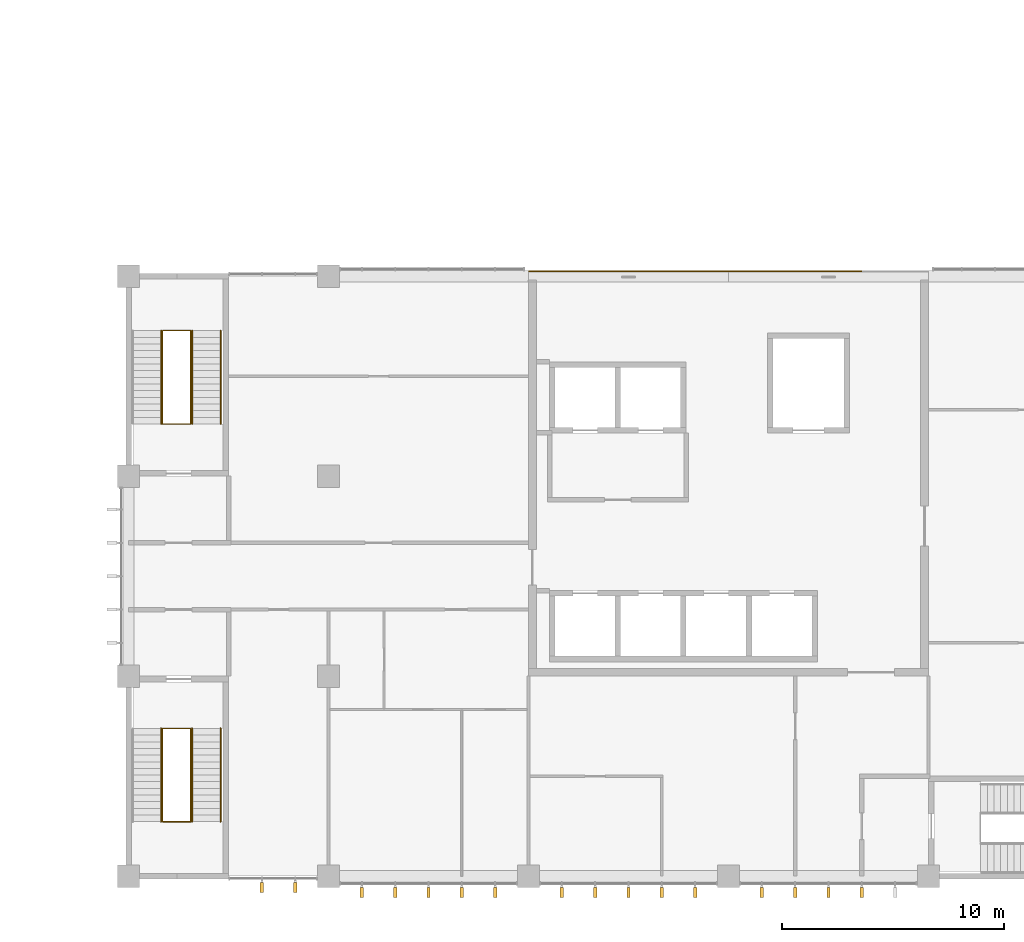
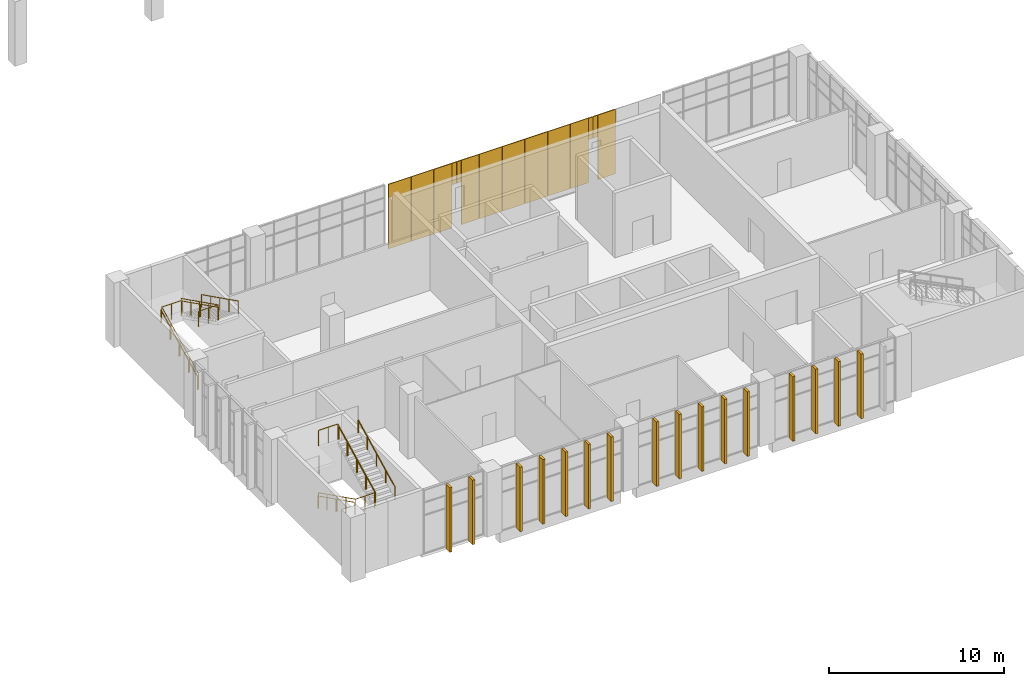
# One storey, part 84 of 88: 16 shading devices, 14 coverings, 8 railings.
"""IFC4 building model written with IfcOpenShell, lengths in metres."""

from ifc_helpers import new_model, si_unit, direction, frame, origin, origin_2d, place, context, subcontext, project, spatial, rectangle, circle, extrude, material, layer, layer_set, type_object, element, save


model = new_model("IFC4")

# Units and contexts
model_context = context("Model", 3, precision=1e-05, world=origin(), true_north=direction((0.0, 1.0)))
body_context = subcontext(model_context, "Body", "Model", "MODEL_VIEW")
ifc_project = project(units=[si_unit("LENGTHUNIT", "METRE"), si_unit("AREAUNIT", "SQUARE_METRE"), si_unit("VOLUMEUNIT", "CUBIC_METRE"), si_unit("PLANEANGLEUNIT", "RADIAN"), si_unit("MASSUNIT", "GRAM", prefix="KILO")], contexts=[model_context])

# Site, building, storey
site_placement = place(None, origin())
site = spatial("IfcSite", under=ifc_project, at=site_placement, CompositionType="ELEMENT")
building_placement = place(site_placement, origin())
building = spatial("IfcBuilding", under=site, at=building_placement, Name="Guidao Yard Department Store", CompositionType="ELEMENT")
storey_placement = place(building_placement, frame((0.0, 0.0, 6.0)))
storey = spatial("IfcBuildingStorey", under=building, at=storey_placement, Name="L01", CompositionType="ELEMENT", Elevation=6.0)

# Coverings
ifc_material_1 = material(Name="Anodised aluminium 6063-T5 cladding", Category="aluminium")
ifc_layer = layer(ifc_material_1, 0.050048828125)
ifc_layer_set = layer_set([ifc_layer], Name="Facade cladding CP1 anodised aluminium panel 6063")
covering_type = type_object("IfcCoveringType", Name="Facade cladding CP1 anodised aluminium panel 6063", PredefinedType="CLADDING", material=ifc_layer_set)
for number, where, z_axis, x_axis, name in (
    (1, (144.75, 27.22509765625, 0.0), (0.0, 0.0, 1.0), (1.0, 0.0, 0.0), "Core face cladding"),
    (2, (146.25, 27.22509765625, 0.0), (0.0, 0.0, 1.0), (1.0, 0.0, 0.0), "Core face cladding"),
):
    element("IfcCovering", number, at=place(storey_placement, frame(where, z_axis=z_axis, x_axis=x_axis)), inside=storey, type_object=covering_type, Name=name, PredefinedType="CLADDING", context=body_context, shape_type="SweptSolid", body=[
        extrude(rectangle(XDim=1.47998046875, YDim=0.050048828125, at=origin_2d()), origin(), (0.0, 0.0, 1.0), 4.5),
    ])
covering_1_placement = place(storey_placement, frame((147.60009765625, 27.22509765625, 0.0), z_axis=(0.0, 0.0, 1.0), x_axis=(1.0, 0.0, 0.0)))
element("IfcCovering", 3, at=covering_1_placement, inside=storey, type_object=covering_type, Name="Core face cladding", PredefinedType="CLADDING", context=body_context, shape_type="SweptSolid", body=[
    extrude(rectangle(XDim=1.179931640625, YDim=0.050048828125, at=origin_2d()), origin(), (0.0, 0.0, 1.0), 4.5),
])
for number, where, z_axis, x_axis, name in (
    (4, (148.35009765625, 27.22509765625, 3.0), (0.0, 0.0, 1.0), (1.0, 0.0, 0.0), "Core face cladding"),
    (5, (148.64990234375, 27.22509765625, 3.0), (0.0, 0.0, 1.0), (1.0, 0.0, 0.0), "Core face cladding"),
):
    element("IfcCovering", number, at=place(storey_placement, frame(where, z_axis=z_axis, x_axis=x_axis)), inside=storey, type_object=covering_type, Name=name, PredefinedType="CLADDING", context=body_context, shape_type="SweptSolid", body=[
        extrude(rectangle(XDim=0.280029296875, YDim=0.050048828125, at=origin_2d()), origin(), (0.0, 0.0, 1.0), 1.5),
    ])
covering_2_placement = place(storey_placement, frame((149.39990234375, 27.22509765625, 0.0), z_axis=(0.0, 0.0, 1.0), x_axis=(1.0, 0.0, 0.0)))
element("IfcCovering", 6, at=covering_2_placement, inside=storey, type_object=covering_type, Name="Core face cladding", PredefinedType="CLADDING", context=body_context, shape_type="SweptSolid", body=[
    extrude(rectangle(XDim=1.179931640625, YDim=0.050048828125, at=origin_2d()), origin(), (0.0, 0.0, 1.0), 4.5),
])
for number, where, z_axis, x_axis, name in (
    (7, (150.75, 27.22509765625, 0.0), (0.0, 0.0, 1.0), (1.0, 0.0, 0.0), "Core face cladding"),
    (8, (152.25, 27.22509765625, 0.0), (0.0, 0.0, 1.0), (1.0, 0.0, 0.0), "Core face cladding"),
    (9, (153.75, 27.22509765625, 0.0), (0.0, 0.0, 1.0), (1.0, 0.0, 0.0), "Core face cladding"),
    (10, (155.25, 27.22509765625, 0.0), (0.0, 0.0, 1.0), (1.0, 0.0, 0.0), "Core face cladding"),
):
    element("IfcCovering", number, at=place(storey_placement, frame(where, z_axis=z_axis, x_axis=x_axis)), inside=storey, type_object=covering_type, Name=name, PredefinedType="CLADDING", context=body_context, shape_type="SweptSolid", body=[
        extrude(rectangle(XDim=1.47998046875, YDim=0.050048828125, at=origin_2d()), origin(), (0.0, 0.0, 1.0), 4.5),
    ])
covering_3_placement = place(storey_placement, frame((156.60009765625, 27.22509765625, 0.0), z_axis=(0.0, 0.0, 1.0), x_axis=(1.0, 0.0, 0.0)))
element("IfcCovering", 11, at=covering_3_placement, inside=storey, type_object=covering_type, Name="Core face cladding", PredefinedType="CLADDING", context=body_context, shape_type="SweptSolid", body=[
    extrude(rectangle(XDim=1.179931640625, YDim=0.050048828125, at=origin_2d()), origin(), (0.0, 0.0, 1.0), 4.5),
])
for number, where, z_axis, x_axis, name in (
    (12, (157.35009765625, 27.22509765625, 3.0), (0.0, 0.0, 1.0), (1.0, 0.0, 0.0), "Core face cladding"),
    (13, (157.64990234375, 27.22509765625, 3.0), (0.0, 0.0, 1.0), (1.0, 0.0, 0.0), "Core face cladding"),
):
    element("IfcCovering", number, at=place(storey_placement, frame(where, z_axis=z_axis, x_axis=x_axis)), inside=storey, type_object=covering_type, Name=name, PredefinedType="CLADDING", context=body_context, shape_type="SweptSolid", body=[
        extrude(rectangle(XDim=0.280029296875, YDim=0.050048828125, at=origin_2d()), origin(), (0.0, 0.0, 1.0), 1.5),
    ])
covering_4_placement = place(storey_placement, frame((158.39990234375, 27.22509765625, 0.0), z_axis=(0.0, 0.0, 1.0), x_axis=(1.0, 0.0, 0.0)))
element("IfcCovering", 14, at=covering_4_placement, inside=storey, type_object=covering_type, Name="Core face cladding", PredefinedType="CLADDING", context=body_context, shape_type="SweptSolid", body=[
    extrude(rectangle(XDim=1.179931640625, YDim=0.050048828125, at=origin_2d()), origin(), (0.0, 0.0, 1.0), 4.5),
])

# Railings
ifc_material_2 = material(Name="Steel Q235", Category="steel")
railing_type_1 = type_object("IfcRailingType", Name="Guard steel balustrade 1100", PredefinedType="GUARDRAIL", material=ifc_material_2)
railing_1_placement = place(storey_placement, frame((127.52490234375, 6.64990234375, 0.14990234375)))
element("IfcRailing", 15, at=railing_1_placement, inside=storey, type_object=railing_type_1, Name="Stair O1 guard L01 16", PredefinedType="GUARDRAIL", context=body_context, shape_type="SweptSolid", body=[
    extrude(circle(Radius=0.02392578125, at=origin_2d()), frame((0.0, 0.0, 1.076171875), z_axis=(0.0, -0.894416792377, 0.447234392142), x_axis=(1.0, 0.0, 0.0)), (0.0, 0.0, 1.0), 4.69580078125),
    extrude(circle(Radius=0.02392578125, at=origin_2d()), frame((0.0, -4.199951171875, 3.17626953125), z_axis=(1.0, 0.0, 0.0), x_axis=(0.0, 1.0, 0.0)), (0.0, 0.0, 1.0), 1.275146484375),
    extrude(circle(Radius=0.02392578125, at=origin_2d()), frame((1.275146484375, -4.199951171875, 3.17626953125), z_axis=(0.0, 0.0, 1.0), x_axis=(1.0, 0.0, 0.0)), (0.0, 0.0, 1.0), 0.14990234375),
    extrude(circle(Radius=0.02392578125, at=origin_2d()), frame((1.275146484375, -4.199951171875, 3.326171875), z_axis=(0.0, 0.894416792377, 0.447234392142), x_axis=(-1.0, 0.0, 0.0)), (0.0, 0.0, 1.0), 4.69580078125),
    extrude(circle(Radius=0.02392578125, at=origin_2d()), frame((1.275146484375, 0.0, 5.42626953125), z_axis=(-1.0, 0.0, 0.0), x_axis=(0.0, -1.0, 0.0)), (0.0, 0.0, 1.0), 1.275146484375),
    extrude(circle(Radius=0.02099609375, at=origin_2d()), origin(), (0.0, 0.0, 1.0), 1.052001953125),
    extrude(circle(Radius=0.02099609375, at=origin_2d()), frame((0.0, -1.050048828125, 0.52490234375)), (0.0, 0.0, 1.0), 1.052001953125),
    extrude(circle(Radius=0.02099609375, at=origin_2d()), frame((0.0, -2.10009765625, 1.050048828125)), (0.0, 0.0, 1.0), 1.052001953125),
    extrude(circle(Radius=0.02099609375, at=origin_2d()), frame((0.0, -3.14990234375, 1.5751953125)), (0.0, 0.0, 1.0), 1.052001953125),
    extrude(circle(Radius=0.02099609375, at=origin_2d()), frame((0.0, -4.199951171875, 2.10009765625)), (0.0, 0.0, 1.0), 1.052001953125),
    extrude(circle(Radius=0.02099609375, at=origin_2d()), frame((0.6376953125, -4.199951171875, 2.10009765625)), (0.0, 0.0, 1.0), 1.052001953125),
    extrude(circle(Radius=0.02099609375, at=origin_2d()), frame((1.275146484375, -4.199951171875, 2.10009765625)), (0.0, 0.0, 1.0), 1.052001953125),
    extrude(circle(Radius=0.02099609375, at=origin_2d()), frame((1.275146484375, -4.199951171875, 2.25)), (0.0, 0.0, 1.0), 1.052001953125),
    extrude(circle(Radius=0.02099609375, at=origin_2d()), frame((1.275146484375, -3.14990234375, 2.77490234375)), (0.0, 0.0, 1.0), 1.052001953125),
    extrude(circle(Radius=0.02099609375, at=origin_2d()), frame((1.275146484375, -2.10009765625, 3.300048828125)), (0.0, 0.0, 1.0), 1.052001953125),
    extrude(circle(Radius=0.02099609375, at=origin_2d()), frame((1.275146484375, -1.050048828125, 3.8251953125)), (0.0, 0.0, 1.0), 1.052001953125),
    extrude(circle(Radius=0.02099609375, at=origin_2d()), frame((1.275146484375, 0.0, 4.35009765625)), (0.0, 0.0, 1.0), 1.052001953125),
    extrude(circle(Radius=0.02099609375, at=origin_2d()), frame((0.6376953125, 0.0, 4.35009765625)), (0.0, 0.0, 1.0), 1.052001953125),
    extrude(circle(Radius=0.02099609375, at=origin_2d()), frame((0.0, 0.0, 4.35009765625)), (0.0, 0.0, 1.0), 1.052001953125),
])
railing_2_placement = place(storey_placement, frame((127.52490234375, 20.35009765625, 0.14990234375)))
element("IfcRailing", 16, at=railing_2_placement, inside=storey, type_object=railing_type_1, Name="Stair O3 guard L01 18", PredefinedType="GUARDRAIL", context=body_context, shape_type="SweptSolid", body=[
    extrude(circle(Radius=0.02392578125, at=origin_2d()), frame((0.0, 0.0, 1.076171875), z_axis=(0.0, 0.894416792377, 0.447234392142), x_axis=(-1.0, 0.0, 0.0)), (0.0, 0.0, 1.0), 4.69580078125),
    extrude(circle(Radius=0.02392578125, at=origin_2d()), frame((0.0, 4.199951171875, 3.17626953125), z_axis=(1.0, 0.0, 0.0), x_axis=(0.0, 1.0, 0.0)), (0.0, 0.0, 1.0), 1.275146484375),
    extrude(circle(Radius=0.02392578125, at=origin_2d()), frame((1.275146484375, 4.199951171875, 3.17626953125), z_axis=(0.0, 0.0, 1.0), x_axis=(1.0, 0.0, 0.0)), (0.0, 0.0, 1.0), 0.14990234375),
    extrude(circle(Radius=0.02392578125, at=origin_2d()), frame((1.275146484375, 4.199951171875, 3.326171875), z_axis=(0.0, -0.894416792377, 0.447234392142), x_axis=(1.0, 0.0, 0.0)), (0.0, 0.0, 1.0), 4.69580078125),
    extrude(circle(Radius=0.02392578125, at=origin_2d()), frame((1.275146484375, 0.0, 5.42626953125), z_axis=(-1.0, 0.0, 0.0), x_axis=(0.0, -1.0, 0.0)), (0.0, 0.0, 1.0), 1.275146484375),
    extrude(circle(Radius=0.02099609375, at=origin_2d()), origin(), (0.0, 0.0, 1.0), 1.052001953125),
    extrude(circle(Radius=0.02099609375, at=origin_2d()), frame((0.0, 1.050048828125, 0.52490234375)), (0.0, 0.0, 1.0), 1.052001953125),
    extrude(circle(Radius=0.02099609375, at=origin_2d()), frame((0.0, 2.10009765625, 1.050048828125)), (0.0, 0.0, 1.0), 1.052001953125),
    extrude(circle(Radius=0.02099609375, at=origin_2d()), frame((0.0, 3.14990234375, 1.5751953125)), (0.0, 0.0, 1.0), 1.052001953125),
    extrude(circle(Radius=0.02099609375, at=origin_2d()), frame((0.0, 4.199951171875, 2.10009765625)), (0.0, 0.0, 1.0), 1.052001953125),
    extrude(circle(Radius=0.02099609375, at=origin_2d()), frame((0.6376953125, 4.199951171875, 2.10009765625)), (0.0, 0.0, 1.0), 1.052001953125),
    extrude(circle(Radius=0.02099609375, at=origin_2d()), frame((1.275146484375, 4.199951171875, 2.10009765625)), (0.0, 0.0, 1.0), 1.052001953125),
    extrude(circle(Radius=0.02099609375, at=origin_2d()), frame((1.275146484375, 4.199951171875, 2.25)), (0.0, 0.0, 1.0), 1.052001953125),
    extrude(circle(Radius=0.02099609375, at=origin_2d()), frame((1.275146484375, 3.14990234375, 2.77490234375)), (0.0, 0.0, 1.0), 1.052001953125),
    extrude(circle(Radius=0.02099609375, at=origin_2d()), frame((1.275146484375, 2.10009765625, 3.300048828125)), (0.0, 0.0, 1.0), 1.052001953125),
    extrude(circle(Radius=0.02099609375, at=origin_2d()), frame((1.275146484375, 1.050048828125, 3.8251953125)), (0.0, 0.0, 1.0), 1.052001953125),
    extrude(circle(Radius=0.02099609375, at=origin_2d()), frame((1.275146484375, 0.0, 4.35009765625)), (0.0, 0.0, 1.0), 1.052001953125),
    extrude(circle(Radius=0.02099609375, at=origin_2d()), frame((0.6376953125, 0.0, 4.35009765625)), (0.0, 0.0, 1.0), 1.052001953125),
    extrude(circle(Radius=0.02099609375, at=origin_2d()), frame((0.0, 0.0, 4.35009765625)), (0.0, 0.0, 1.0), 1.052001953125),
])
ifc_material_3 = material(Name="Steel Q235", Category="steel")
railing_type_2 = type_object("IfcRailingType", Name="Handrail steel tube 48", PredefinedType="HANDRAIL", material=ifc_material_3)
railing_3_placement = place(storey_placement, frame((127.465087890625, 6.64990234375, 0.14990234375)))
element("IfcRailing", 17, at=railing_3_placement, inside=storey, type_object=railing_type_2, Name="Stair O1 hand rail L01 54", PredefinedType="HANDRAIL", context=body_context, shape_type="SweptSolid", body=[
    extrude(circle(Radius=0.02392578125, at=origin_2d()), frame((0.0, 0.0, 0.8759765625), z_axis=(0.0, -0.894416792377, 0.447234392142), x_axis=(1.0, 0.0, 0.0)), (0.0, 0.0, 1.0), 4.69580078125),
    extrude(circle(Radius=0.02099609375, at=origin_2d()), origin(), (0.0, 0.0, 1.0), 0.851806640625),
    extrude(circle(Radius=0.02099609375, at=origin_2d()), frame((0.0, -1.050048828125, 0.52490234375)), (0.0, 0.0, 1.0), 0.851806640625),
    extrude(circle(Radius=0.02099609375, at=origin_2d()), frame((0.0, -2.10009765625, 1.050048828125)), (0.0, 0.0, 1.0), 0.851806640625),
    extrude(circle(Radius=0.02099609375, at=origin_2d()), frame((0.0, -3.14990234375, 1.5751953125)), (0.0, 0.0, 1.0), 0.851806640625),
    extrude(circle(Radius=0.02099609375, at=origin_2d()), frame((0.0, -4.199951171875, 2.10009765625)), (0.0, 0.0, 1.0), 0.851806640625),
])
for number, where, name in (
    (18, (128.860107421875, 2.449951171875, 2.39990234375), "Stair O1 hand rail L01 55"),
    (19, (130.139892578125, 2.449951171875, 2.39990234375), "Stair O1 hand rail L01 56"),
    (20, (127.465087890625, 20.35009765625, 0.14990234375), "Stair O3 hand rail L01 62"),
):
    element("IfcRailing", number, at=place(storey_placement, frame(where)), inside=storey, type_object=railing_type_2, Name=name, PredefinedType="HANDRAIL", context=body_context, shape_type="SweptSolid", body=[
        extrude(circle(Radius=0.02392578125, at=origin_2d()), frame((0.0, 0.0, 0.8759765625), z_axis=(0.0, 0.894416792377, 0.447234392142), x_axis=(-1.0, 0.0, 0.0)), (0.0, 0.0, 1.0), 4.69580078125),
        extrude(circle(Radius=0.02099609375, at=origin_2d()), origin(), (0.0, 0.0, 1.0), 0.851806640625),
        extrude(circle(Radius=0.02099609375, at=origin_2d()), frame((0.0, 1.050048828125, 0.52490234375)), (0.0, 0.0, 1.0), 0.851806640625),
        extrude(circle(Radius=0.02099609375, at=origin_2d()), frame((0.0, 2.10009765625, 1.050048828125)), (0.0, 0.0, 1.0), 0.851806640625),
        extrude(circle(Radius=0.02099609375, at=origin_2d()), frame((0.0, 3.14990234375, 1.5751953125)), (0.0, 0.0, 1.0), 0.851806640625),
        extrude(circle(Radius=0.02099609375, at=origin_2d()), frame((0.0, 4.199951171875, 2.10009765625)), (0.0, 0.0, 1.0), 0.851806640625),
    ])
for number, where, name in (
    (21, (128.860107421875, 24.550048828125, 2.39990234375), "Stair O3 hand rail L01 63"),
    (22, (130.139892578125, 24.550048828125, 2.39990234375), "Stair O3 hand rail L01 64"),
):
    element("IfcRailing", number, at=place(storey_placement, frame(where)), inside=storey, type_object=railing_type_2, Name=name, PredefinedType="HANDRAIL", context=body_context, shape_type="SweptSolid", body=[
        extrude(circle(Radius=0.02392578125, at=origin_2d()), frame((0.0, 0.0, 0.8759765625), z_axis=(0.0, -0.894416792377, 0.447234392142), x_axis=(1.0, 0.0, 0.0)), (0.0, 0.0, 1.0), 4.69580078125),
        extrude(circle(Radius=0.02099609375, at=origin_2d()), origin(), (0.0, 0.0, 1.0), 0.851806640625),
        extrude(circle(Radius=0.02099609375, at=origin_2d()), frame((0.0, -1.050048828125, 0.52490234375)), (0.0, 0.0, 1.0), 0.851806640625),
        extrude(circle(Radius=0.02099609375, at=origin_2d()), frame((0.0, -2.10009765625, 1.050048828125)), (0.0, 0.0, 1.0), 0.851806640625),
        extrude(circle(Radius=0.02099609375, at=origin_2d()), frame((0.0, -3.14990234375, 1.5751953125)), (0.0, 0.0, 1.0), 0.851806640625),
        extrude(circle(Radius=0.02099609375, at=origin_2d()), frame((0.0, -4.199951171875, 2.10009765625)), (0.0, 0.0, 1.0), 0.851806640625),
    ])

# Shading devices
ifc_material_4 = material(Name="Aluminium 6063-T5", Category="aluminium")
shading_device_type = type_object("IfcShadingDeviceType", Name="Vertical fin FN2 aluminium 150 x 450", PredefinedType="SHUTTER", material=ifc_material_4)
for number, where, z_axis, x_axis, name in (
    (23, (132.0, -0.5048828125, 0.0), (0.0, 0.0, 1.0), (-1.0, 0.0, 0.0), "Vertical fin"),
    (24, (133.5, -0.5048828125, 0.0), (0.0, 0.0, 1.0), (-1.0, 0.0, 0.0), "Vertical fin"),
    (25, (136.5, -0.735107421875, 0.0), (0.0, 0.0, 1.0), (-1.0, 0.0, 0.0), "Vertical fin"),
    (26, (138.0, -0.735107421875, 0.0), (0.0, 0.0, 1.0), (-1.0, 0.0, 0.0), "Vertical fin"),
    (27, (139.5, -0.735107421875, 0.0), (0.0, 0.0, 1.0), (-1.0, 0.0, 0.0), "Vertical fin"),
    (28, (141.0, -0.735107421875, 0.0), (0.0, 0.0, 1.0), (-1.0, 0.0, 0.0), "Vertical fin"),
    (29, (142.5, -0.735107421875, 0.0), (0.0, 0.0, 1.0), (-1.0, 0.0, 0.0), "Vertical fin"),
    (30, (145.5, -0.735107421875, 0.0), (0.0, 0.0, 1.0), (-1.0, 0.0, 0.0), "Vertical fin"),
    (31, (147.0, -0.735107421875, 0.0), (0.0, 0.0, 1.0), (-1.0, 0.0, 0.0), "Vertical fin"),
    (32, (148.5, -0.735107421875, 0.0), (0.0, 0.0, 1.0), (-1.0, 0.0, 0.0), "Vertical fin"),
    (33, (150.0, -0.735107421875, 0.0), (0.0, 0.0, 1.0), (-1.0, 0.0, 0.0), "Vertical fin"),
    (34, (151.5, -0.735107421875, 0.0), (0.0, 0.0, 1.0), (-1.0, 0.0, 0.0), "Vertical fin"),
    (35, (154.5, -0.735107421875, 0.0), (0.0, 0.0, 1.0), (-1.0, 0.0, 0.0), "Vertical fin"),
    (36, (156.0, -0.735107421875, 0.0), (0.0, 0.0, 1.0), (-1.0, 0.0, 0.0), "Vertical fin"),
    (37, (157.5, -0.735107421875, 0.0), (0.0, 0.0, 1.0), (-1.0, 0.0, 0.0), "Vertical fin"),
    (38, (159.0, -0.735107421875, 0.0), (0.0, 0.0, 1.0), (-1.0, 0.0, 0.0), "Vertical fin"),
):
    element("IfcShadingDevice", number, at=place(storey_placement, frame(where, z_axis=z_axis, x_axis=x_axis)), inside=storey, type_object=shading_device_type, Name=name, PredefinedType="SHUTTER", context=body_context, shape_type="SweptSolid", body=[
        extrude(rectangle(XDim=0.14990234375, YDim=0.449951171875, at=origin_2d()), origin(), (0.0, 0.0, 1.0), 4.5),
    ])

save(model, "model.ifc")
